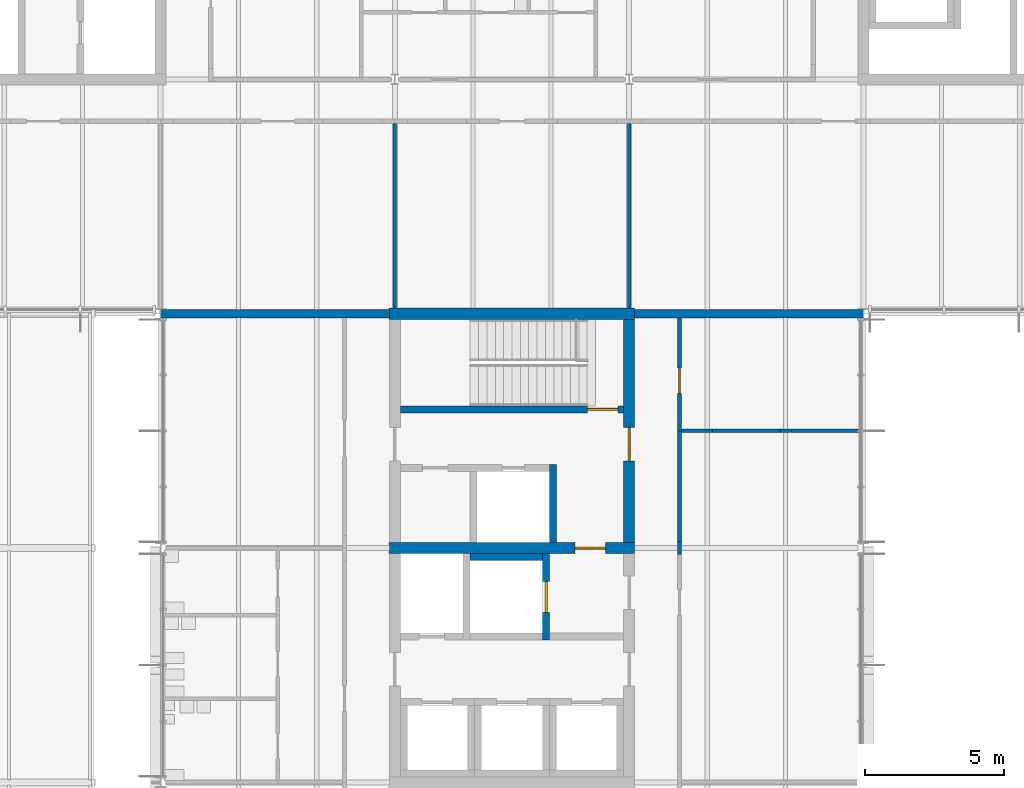
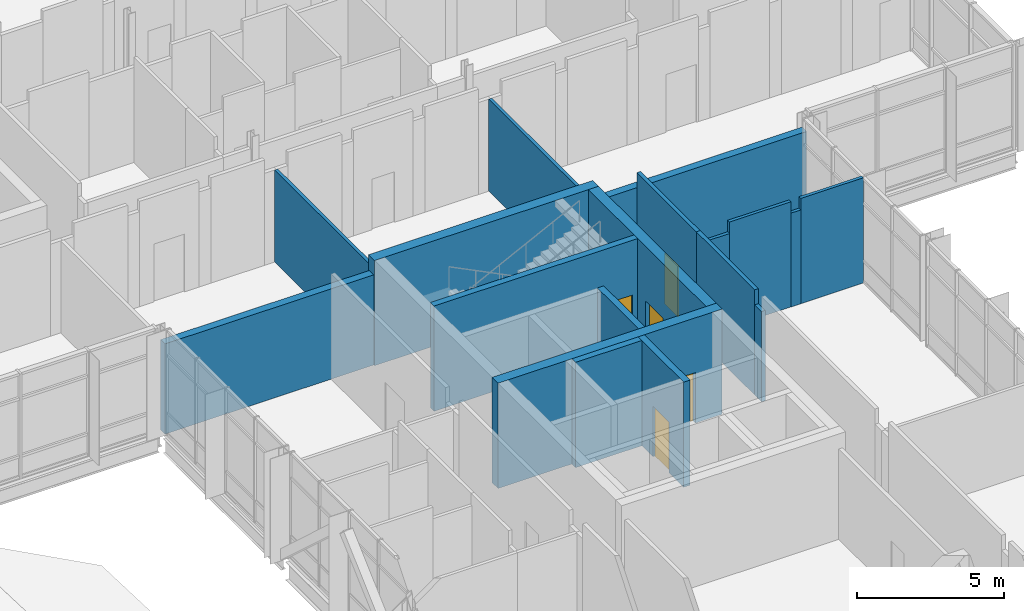
# One storey, part 36 of 76: 18 walls, 5 doors, 5 openings.
"""IFC4 building model written with IfcOpenShell, lengths in metres."""

from ifc_helpers import new_model, si_unit, direction, frame, frame_2d, origin, place, context, subcontext, project, spatial, rectangle, extrude, material, layer, layer_set, type_object, element, fill, save


model = new_model("IFC4")

# Units and contexts
model_context = context("Model", 3, precision=1e-05, world=origin(), true_north=direction((0.0, 1.0)))
body_context = subcontext(model_context, "Body", "Model", "MODEL_VIEW")
ifc_project = project(units=[si_unit("LENGTHUNIT", "METRE"), si_unit("AREAUNIT", "SQUARE_METRE"), si_unit("VOLUMEUNIT", "CUBIC_METRE"), si_unit("PLANEANGLEUNIT", "RADIAN"), si_unit("MASSUNIT", "GRAM", prefix="KILO")], contexts=[model_context])

# Site, building, storey
site_placement = place(None, origin())
site = spatial("IfcSite", under=ifc_project, at=site_placement, CompositionType="ELEMENT")
building_placement = place(site_placement, origin())
building = spatial("IfcBuilding", under=site, at=building_placement, Name="Hlaing Beacon Police Headquarters", CompositionType="ELEMENT")
storey_placement = place(building_placement, frame((0.0, 0.0, 18.89990234375)))
storey = spatial("IfcBuildingStorey", under=building, at=storey_placement, Name="L04", CompositionType="ELEMENT", Elevation=18.89990234375)

# Walls
ifc_material_1 = material(Name="Concrete C40/50", Category="concrete")
ifc_layer_1 = layer(ifc_material_1, 0.300048828125)
ifc_layer_set_1 = layer_set([ifc_layer_1], Name="Concrete C40/50")
wall_type_1 = type_object("IfcWallType", Name="Compartment wall 300", PredefinedType="SOLIDWALL", material=ifc_layer_set_1)
for number, where, z_axis, x_axis, name in (
    (1, (125.997314453125, 67.199951171875, 0.0), (0.0, 0.0, 1.0), (-1.0, 0.0, 0.0), "Compartment wall L04 N033"),
    (2, (109.0, 67.199951171875, 0.0), (0.0, 0.0, 1.0), (-1.0, 0.0, 0.0), "Compartment wall L04 N034"),
):
    element("IfcWall", number, at=place(storey_placement, frame(where, z_axis=z_axis, x_axis=x_axis)), inside=storey, type_object=wall_type_1, Name=name, PredefinedType="SOLIDWALL", context=body_context, shape_type="SweptSolid", body=[
        extrude(rectangle(XDim=8.197265625, YDim=0.300048828125, at=frame_2d((4.0986328125, 0.0))), origin(), (0.0, 0.0, 1.0), 3.74609375),
    ])

# Wall, opening, door
ifc_material_2 = material(Name="Concrete C60/75", Category="concrete")
ifc_layer_2 = layer(ifc_material_2, 0.39990234375)
ifc_layer_set_2 = layer_set([ifc_layer_2], Name="Concrete C60/75")
wall_type_2 = type_object("IfcWallType", Name="Core shear wall 400", PredefinedType="SHEAR", material=ifc_layer_set_2)
wall_1_placement = place(storey_placement, frame((109.0, 58.800048828125, 0.0), z_axis=(0.0, 0.0, 1.0), x_axis=(1.0, 0.0, 0.0)))
wall_1 = element("IfcWall", 3, at=wall_1_placement, inside=storey, type_object=wall_type_2, Name="Core shear wall", PredefinedType="SHEAR", context=body_context, shape_type="SweptSolid", body=[
    extrude(rectangle(XDim=8.800048828125, YDim=0.39990234375, at=frame_2d((4.39990234375, 0.0))), origin(), (0.0, 0.0, 1.0), 4.3701171875),
])
opening_1_placement = place(wall_1_placement, frame((6.64990234375, 0.0, 0.0)))
opening_1 = element("IfcOpeningElement", 4, at=opening_1_placement, cuts=wall_1, Name="Opening L04-904", PredefinedType="OPENING", context=body_context, shape_type="SweptSolid", body=[
    extrude(rectangle(XDim=1.10009765625, YDim=2.10009765625, at=frame_2d((0.550048828125, 1.050048828125))), frame((0.0, 0.2099609375, 0.0), z_axis=(0.0, -1.0, 0.0), x_axis=(1.0, 0.0, 0.0)), (0.0, 0.0, 1.0), 0.419921875),
])
ifc_material_3 = material(Name="Steel fire door leaf", Category="steel")
ifc_layer_3 = layer(ifc_material_3, 0.070068359375)
ifc_layer_set_3 = layer_set([ifc_layer_3], Name="Steel fire door leaf")
door_type_1 = type_object("IfcDoorType", Name="Steel fire door FD60S 1100x2100", OperationType="SINGLE_SWING_LEFT", PredefinedType="DOOR", material=ifc_layer_set_3)
door_1_placement = place(opening_1_placement, origin())
door_1 = element("IfcDoor", 5, at=door_1_placement, inside=storey, type_object=door_type_1, Name="Door Firefighting Lobby Stair", OperationType="SINGLE_SWING_LEFT", OverallHeight=2.10009765625, OverallWidth=1.10009765625, PredefinedType="DOOR", context=body_context, shape_type="SweptSolid", body=[
    extrude(rectangle(XDim=1.10009765625, YDim=2.10009765625, at=frame_2d((0.550048828125, 1.050048828125))), frame((0.0, 0.03515625, 0.0), z_axis=(0.0, -1.0, 0.0), x_axis=(1.0, 0.0, 0.0)), (0.0, 0.0, 1.0), 0.070068359375),
])
fill(opening_1, door_1)

# Wall
wall_2_placement = place(storey_placement, frame((109.0, 67.199951171875, 0.0), z_axis=(0.0, 0.0, 1.0), x_axis=(1.0, 0.0, 0.0)))
element("IfcWall", 6, at=wall_2_placement, inside=storey, type_object=wall_type_2, Name="Core shear wall", PredefinedType="SHEAR", context=body_context, shape_type="SweptSolid", body=[
    extrude(rectangle(XDim=8.800048828125, YDim=0.39990234375, at=frame_2d((4.39990234375, 0.0))), origin(), (0.0, 0.0, 1.0), 4.3701171875),
])

# Wall, opening, door
wall_3_placement = place(storey_placement, frame((117.60009765625, 59.0, 0.0), z_axis=(0.0, 0.0, 1.0), x_axis=(0.0, 1.0, 0.0)))
wall_3 = element("IfcWall", 7, at=wall_3_placement, inside=storey, type_object=wall_type_2, Name="Core shear wall", PredefinedType="SHEAR", context=body_context, shape_type="SweptSolid", body=[
    extrude(rectangle(XDim=8.0, YDim=0.39990234375, at=frame_2d((4.0, 0.0))), origin(), (0.0, 0.0, 1.0), 4.3701171875),
])
opening_2_placement = place(wall_3_placement, frame((2.925048828125, 0.0, 0.0)))
opening_2 = element("IfcOpeningElement", 8, at=opening_2_placement, cuts=wall_3, Name="Opening L04-908", PredefinedType="OPENING", context=body_context, shape_type="SweptSolid", body=[
    extrude(rectangle(XDim=1.199951171875, YDim=2.10009765625, at=frame_2d((0.60009765625, 1.050048828125))), frame((0.0, 0.2099609375, 0.0), z_axis=(0.0, -1.0, 0.0), x_axis=(1.0, 0.0, 0.0)), (0.0, 0.0, 1.0), 0.419921875),
])
ifc_material_4 = material(Name="Steel fire door leaf", Category="steel")
ifc_layer_4 = layer(ifc_material_4, 0.070068359375)
ifc_layer_set_4 = layer_set([ifc_layer_4], Name="Steel fire door leaf")
door_type_2 = type_object("IfcDoorType", Name="Steel fire door FD60S 1200x2100", OperationType="SINGLE_SWING_LEFT", PredefinedType="DOOR", material=ifc_layer_set_4)
door_2_placement = place(opening_2_placement, origin())
door_2 = element("IfcDoor", 9, at=door_2_placement, inside=storey, type_object=door_type_2, Name="Door Stair Lobby ST-M Entry", OperationType="SINGLE_SWING_RIGHT", OverallHeight=2.10009765625, OverallWidth=1.199951171875, PredefinedType="DOOR", context=body_context, shape_type="SweptSolid", body=[
    extrude(rectangle(XDim=1.199951171875, YDim=2.10009765625, at=frame_2d((0.60009765625, 1.050048828125))), frame((0.0, 0.03515625, 0.0), z_axis=(0.0, -1.0, 0.0), x_axis=(1.0, 0.0, 0.0)), (0.0, 0.0, 1.0), 0.070068359375),
])
fill(opening_2, door_2)

# Walls
ifc_material_5 = material(Name="Gypsum board partition")
ifc_layer_5 = layer(ifc_material_5, 0.14990234375)
ifc_layer_set_5 = layer_set([ifc_layer_5], Name="Gypsum board partition")
wall_type_3 = type_object("IfcWallType", Name="Corridor wall EI 30 150", PredefinedType="PARTITIONING", material=ifc_layer_set_5)
wall_4_placement = place(storey_placement, frame((119.39990234375, 58.570068359375, 0.0), z_axis=(0.0, 0.0, 1.0), x_axis=(0.0, 1.0, 0.0)))
element("IfcWall", 10, at=wall_4_placement, inside=storey, type_object=wall_type_3, Name="Corridor wall EI 30 150", PredefinedType="PARTITIONING", context=body_context, shape_type="SweptSolid", body=[
    extrude(rectangle(XDim=0.4599609375, YDim=0.14990234375, at=frame_2d((0.22998046875, 0.0))), origin(), (0.0, 0.0, 1.0), 3.74609375),
])
wall_5_placement = place(storey_placement, frame((119.39990234375, 59.030029296875, 0.0), z_axis=(0.0, 0.0, 1.0), x_axis=(0.0, 1.0, 0.0)))
element("IfcWall", 11, at=wall_5_placement, inside=storey, type_object=wall_type_3, Name="Corridor wall EI 30 150", PredefinedType="PARTITIONING", context=body_context, shape_type="SweptSolid", body=[
    extrude(rectangle(XDim=3.969970703125, YDim=0.14990234375, at=frame_2d((1.98486328125, 0.0))), origin(), (0.0, 0.0, 1.0), 4.3701171875),
])

# Wall, opening, door
wall_6_placement = place(storey_placement, frame((119.39990234375, 63.0, 0.0), z_axis=(0.0, 0.0, 1.0), x_axis=(0.0, 1.0, 0.0)))
wall_6 = element("IfcWall", 12, at=wall_6_placement, inside=storey, type_object=wall_type_3, Name="Corridor wall EI 30 150", PredefinedType="PARTITIONING", context=body_context, shape_type="SweptSolid", body=[
    extrude(rectangle(XDim=4.050048828125, YDim=0.14990234375, at=frame_2d((2.02490234375, 0.0))), origin(), (0.0, 0.0, 1.0), 4.3701171875),
])
opening_3_placement = place(wall_6_placement, frame((1.35009765625, 0.0, 0.0)))
opening_3 = element("IfcOpeningElement", 13, at=opening_3_placement, cuts=wall_6, Name="Opening L04-003", PredefinedType="OPENING", context=body_context, shape_type="SweptSolid", body=[
    extrude(rectangle(XDim=0.89990234375, YDim=2.10009765625, at=frame_2d((0.449951171875, 1.050048828125))), frame((0.0, 0.0849609375, 0.0), z_axis=(0.0, -1.0, 0.0), x_axis=(1.0, 0.0, 0.0)), (0.0, 0.0, 1.0), 0.169921875),
])
ifc_material_6 = material(Name="Hardwood door leaf", Category="wood")
ifc_layer_6 = layer(ifc_material_6, 0.050048828125)
ifc_layer_set_6 = layer_set([ifc_layer_6], Name="Hardwood door leaf")
door_type_3 = type_object("IfcDoorType", Name="Fire door FD30S 900x2100", OperationType="SINGLE_SWING_LEFT", PredefinedType="DOOR", material=ifc_layer_set_6)
door_3_placement = place(opening_3_placement, frame((0.89990234375, 0.0, 0.0), z_axis=(0.0, 0.0, 1.0), x_axis=(-1.0, 0.0, 0.0)))
door_3 = element("IfcDoor", 14, at=door_3_placement, inside=storey, type_object=door_type_3, Name="Door Operations Stores", OperationType="SINGLE_SWING_RIGHT", OverallHeight=2.10009765625, OverallWidth=0.89990234375, PredefinedType="DOOR", context=body_context, shape_type="SweptSolid", body=[
    extrude(rectangle(XDim=0.89990234375, YDim=2.10009765625, at=frame_2d((0.449951171875, 1.050048828125))), frame((0.0, 0.025146484375, 0.0), z_axis=(0.0, -1.0, 0.0), x_axis=(1.0, 0.0, 0.0)), (0.0, 0.0, 1.0), 0.050048828125),
])
fill(opening_3, door_3)

# Walls
ifc_material_7 = material(Name="Gypsum board partition")
ifc_layer_7 = layer(ifc_material_7, 0.125)
ifc_layer_set_7 = layer_set([ifc_layer_7], Name="Gypsum board partition")
wall_type_4 = type_object("IfcWallType", Name="Partition 125", PredefinedType="PARTITIONING", material=ifc_layer_set_7)
wall_7_placement = place(storey_placement, frame((119.47509765625, 63.0, 0.0), z_axis=(0.0, 0.0, 1.0), x_axis=(1.0, 0.0, 0.0)))
element("IfcWall", 15, at=wall_7_placement, inside=storey, type_object=wall_type_4, Name="Partition 125", PredefinedType="PARTITIONING", context=body_context, shape_type="SweptSolid", body=[
    extrude(rectangle(XDim=1.117919921875, YDim=0.125, at=frame_2d((0.55908203125, 0.0))), origin(), (0.0, 0.0, 1.0), 3.89501953125),
])
wall_8_placement = place(storey_placement, frame((120.593017578125, 63.0, 0.0), z_axis=(0.0, 0.0, 1.0), x_axis=(1.0, 0.0, 0.0)))
element("IfcWall", 16, at=wall_8_placement, inside=storey, type_object=wall_type_4, Name="Partition 125", PredefinedType="PARTITIONING", context=body_context, shape_type="SweptSolid", body=[
    extrude(rectangle(XDim=2.4150390625, YDim=0.125, at=frame_2d((1.20751953125, 0.0))), origin(), (0.0, 0.0, 1.0), 4.3701171875),
])
wall_9_placement = place(storey_placement, frame((123.008056640625, 63.0, 0.0), z_axis=(0.0, 0.0, 1.0), x_axis=(1.0, 0.0, 0.0)))
element("IfcWall", 17, at=wall_9_placement, inside=storey, type_object=wall_type_4, Name="Partition 125", PredefinedType="PARTITIONING", context=body_context, shape_type="SweptSolid", body=[
    extrude(rectangle(XDim=0.384033203125, YDim=0.125, at=frame_2d((0.19189453125, 0.0))), origin(), (0.0, 0.0, 1.0), 3.89501953125),
])
wall_10_placement = place(storey_placement, frame((123.39208984375, 63.0, 0.0), z_axis=(0.0, 0.0, 1.0), x_axis=(1.0, 0.0, 0.0)))
element("IfcWall", 18, at=wall_10_placement, inside=storey, type_object=wall_type_4, Name="Partition 125", PredefinedType="PARTITIONING", context=body_context, shape_type="SweptSolid", body=[
    extrude(rectangle(XDim=2.4580078125, YDim=0.125, at=frame_2d((1.22900390625, 0.0))), origin(), (0.0, 0.0, 1.0), 4.3701171875),
])
for number, where, z_axis, x_axis, name in (
    (19, (109.199951171875, 67.39990234375, 0.0), (0.0, 0.0, 1.0), (0.0, 1.0, 0.0), "Partition 125"),
    (20, (117.60009765625, 67.39990234375, 0.0), (0.0, 0.0, 1.0), (0.0, 1.0, 0.0), "Partition 125"),
):
    element("IfcWall", number, at=place(storey_placement, frame(where, z_axis=z_axis, x_axis=x_axis)), inside=storey, type_object=wall_type_4, Name=name, PredefinedType="PARTITIONING", context=body_context, shape_type="SweptSolid", body=[
        extrude(rectangle(XDim=6.625, YDim=0.125, at=frame_2d((3.3125, 0.0))), origin(), (0.0, 0.0, 1.0), 3.819091796875),
    ])

# Wall, opening, door
ifc_material_8 = material(Name="Concrete C40/50", Category="concrete")
ifc_layer_8 = layer(ifc_material_8, 0.25)
ifc_layer_set_8 = layer_set([ifc_layer_8], Name="Concrete C40/50")
wall_type_5 = type_object("IfcWallType", Name="Shaft wall 250", PredefinedType="SOLIDWALL", material=ifc_layer_set_8)
wall_11_placement = place(storey_placement, frame((117.39990234375, 63.77490234375, 0.0), z_axis=(0.0, 0.0, 1.0), x_axis=(-1.0, 0.0, 0.0)))
wall_11 = element("IfcWall", 21, at=wall_11_placement, inside=storey, type_object=wall_type_5, Name="Stair enclosure wall", PredefinedType="SOLIDWALL", context=body_context, shape_type="SweptSolid", body=[
    extrude(rectangle(XDim=8.0, YDim=0.25, at=frame_2d((4.0, 0.0))), origin(), (0.0, 0.0, 1.0), 4.3701171875),
])
opening_4_placement = place(wall_11_placement, frame((0.199951171875, 0.0, 0.0)))
opening_4 = element("IfcOpeningElement", 22, at=opening_4_placement, cuts=wall_11, Name="Opening L04-910", PredefinedType="OPENING", context=body_context, shape_type="SweptSolid", body=[
    extrude(rectangle(XDim=1.10009765625, YDim=2.10009765625, at=frame_2d((0.550048828125, 1.050048828125))), frame((0.0, 0.135009765625, 0.0), z_axis=(0.0, -1.0, 0.0), x_axis=(1.0, 0.0, 0.0)), (0.0, 0.0, 1.0), 0.27001953125),
])
ifc_material_9 = material(Name="Steel fire door leaf", Category="steel")
ifc_layer_9 = layer(ifc_material_9, 0.070068359375)
ifc_layer_set_9 = layer_set([ifc_layer_9], Name="Steel fire door leaf")
door_type_4 = type_object("IfcDoorType", Name="Steel fire door FD60 1100x2100", OperationType="SINGLE_SWING_LEFT", PredefinedType="DOOR", material=ifc_layer_set_9)
door_4_placement = place(opening_4_placement, frame((1.10009765625, 0.0, 0.0), z_axis=(0.0, 0.0, 1.0), x_axis=(-1.0, 0.0, 0.0)))
door_4 = element("IfcDoor", 23, at=door_4_placement, inside=storey, type_object=door_type_4, Name="Door Stair ST-M", OperationType="SINGLE_SWING_LEFT", OverallHeight=2.10009765625, OverallWidth=1.10009765625, PredefinedType="DOOR", context=body_context, shape_type="SweptSolid", body=[
    extrude(rectangle(XDim=1.10009765625, YDim=2.10009765625, at=frame_2d((0.550048828125, 1.050048828125))), frame((0.0, 0.034912109375, 0.0), z_axis=(0.0, -1.0, 0.0), x_axis=(1.0, 0.0, 0.0)), (0.0, 0.0, 1.0), 0.070068359375),
])
fill(opening_4, door_4)

# Wall
wall_12_placement = place(storey_placement, frame((114.875, 61.800048828125, 0.0), z_axis=(0.0, 0.0, 1.0), x_axis=(0.0, -1.0, 0.0)))
element("IfcWall", 24, at=wall_12_placement, inside=storey, type_object=wall_type_5, Name="Lobby wall", PredefinedType="SOLIDWALL", context=body_context, shape_type="SweptSolid", body=[
    extrude(rectangle(XDim=2.800048828125, YDim=0.25, at=frame_2d((1.39990234375, 0.0))), origin(), (0.0, 0.0, 1.0), 4.3701171875),
])

# Wall, opening, door
wall_13_placement = place(storey_placement, frame((114.625, 55.5, 0.0), z_axis=(0.0, 0.0, 1.0), x_axis=(0.0, 1.0, 0.0)))
wall_13 = element("IfcWall", 25, at=wall_13_placement, inside=storey, type_object=wall_type_5, Name="Lift shaft wall FL1", PredefinedType="SOLIDWALL", context=body_context, shape_type="SweptSolid", body=[
    extrude(rectangle(XDim=3.10009765625, YDim=0.25, at=frame_2d((1.550048828125, 0.0))), origin(), (0.0, 0.0, 1.0), 4.3701171875),
])
opening_5_placement = place(wall_13_placement, frame((1.0, 0.0, 0.0)))
opening_5 = element("IfcOpeningElement", 26, at=opening_5_placement, cuts=wall_13, Name="Opening LD-FL1-L04", PredefinedType="OPENING", context=body_context, shape_type="SweptSolid", body=[
    extrude(rectangle(XDim=1.10009765625, YDim=2.10009765625, at=frame_2d((0.550048828125, 1.050048828125))), frame((0.0, 0.135009765625, 0.0), z_axis=(0.0, -1.0, 0.0), x_axis=(1.0, 0.0, 0.0)), (0.0, 0.0, 1.0), 0.27001953125),
])
ifc_material_10 = material(Name="Stainless steel lift landing door", Category="steel")
ifc_layer_10 = layer(ifc_material_10, 0.06005859375)
ifc_layer_set_10 = layer_set([ifc_layer_10], Name="Stainless steel lift landing door")
door_type_5 = type_object("IfcDoorType", Name="Lift landing door 1100x2100", OperationType="DOUBLE_DOOR_SLIDING", PredefinedType="DOOR", material=ifc_layer_set_10)
door_5_placement = place(opening_5_placement, origin())
door_5 = element("IfcDoor", 27, at=door_5_placement, inside=storey, type_object=door_type_5, Name="Landing door FL1 L04", OperationType="DOUBLE_DOOR_SLIDING", OverallHeight=2.10009765625, OverallWidth=1.10009765625, PredefinedType="DOOR", context=body_context, shape_type="SweptSolid", body=[
    extrude(rectangle(XDim=1.10009765625, YDim=2.10009765625, at=frame_2d((0.550048828125, 1.050048828125))), frame((0.0, 0.0400390625, 0.0), z_axis=(0.0, -1.0, 0.0), x_axis=(1.0, 0.0, 0.0)), (0.0, 0.0, 1.0), 0.080078125),
])
fill(opening_5, door_5)

# Wall
wall_14_placement = place(storey_placement, frame((111.89990234375, 58.47509765625, 0.0), z_axis=(0.0, 0.0, 1.0), x_axis=(1.0, 0.0, 0.0)))
element("IfcWall", 28, at=wall_14_placement, inside=storey, type_object=wall_type_5, Name="Lift shaft wall FL1", PredefinedType="SOLIDWALL", context=body_context, shape_type="SweptSolid", body=[
    extrude(rectangle(XDim=2.60009765625, YDim=0.25, at=frame_2d((1.300048828125, 0.0))), origin(), (0.0, 0.0, 1.0), 4.3701171875),
])

save(model, "model.ifc")
